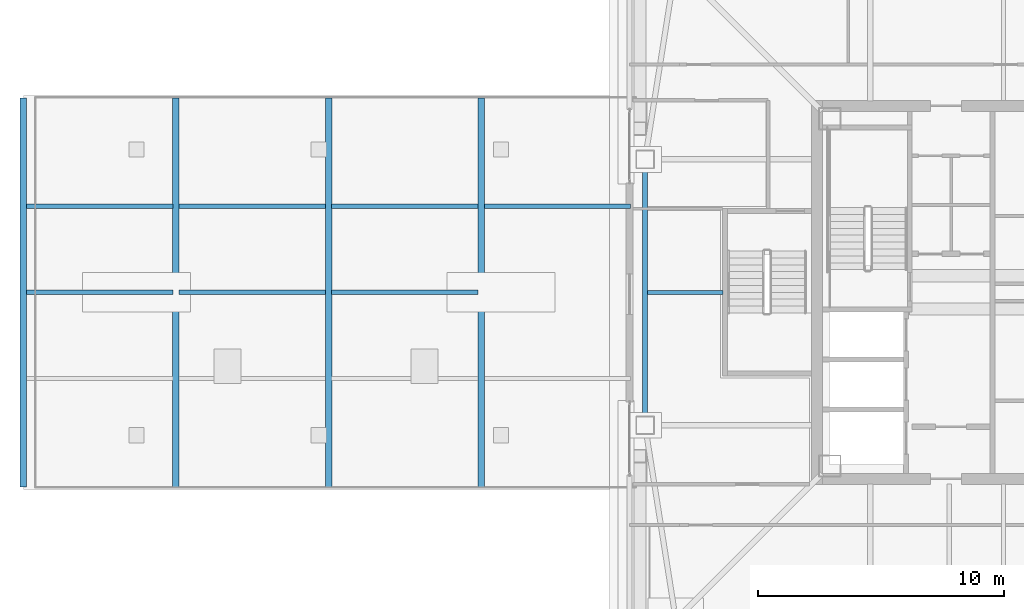
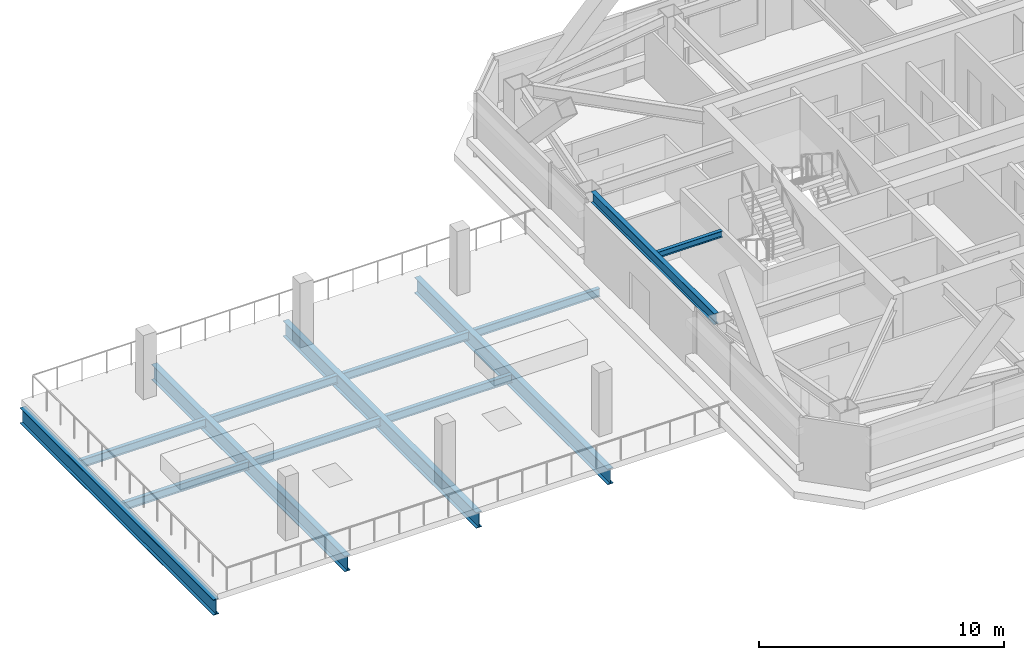
# One storey, part 5 of 37: 13 beams.
"""IFC4 building model written with IfcOpenShell, lengths in metres."""

from ifc_helpers import new_model, si_unit, direction, frame, origin, origin_2d, place, context, subcontext, project, spatial, i_section, extrude, material, material_profile, profile_set, type_object, element, save


model = new_model("IFC4")

# Units and contexts
model_context = context("Model", 3, precision=1e-05, world=origin(), true_north=direction((0.0, 1.0)))
body_context = subcontext(model_context, "Body", "Model", "MODEL_VIEW")
ifc_project = project(units=[si_unit("LENGTHUNIT", "METRE"), si_unit("AREAUNIT", "SQUARE_METRE"), si_unit("VOLUMEUNIT", "CUBIC_METRE"), si_unit("PLANEANGLEUNIT", "RADIAN"), si_unit("MASSUNIT", "GRAM", prefix="KILO")], contexts=[model_context])

# Site, building, storey
site_placement = place(None, origin())
site = spatial("IfcSite", under=ifc_project, at=site_placement, CompositionType="ELEMENT")
building_placement = place(site_placement, origin())
building = spatial("IfcBuilding", under=site, at=building_placement, Name="Tashvorn Skyway Center", CompositionType="ELEMENT")
storey_placement = place(building_placement, frame((0.0, 0.0, 263.39990234375)))
storey = spatial("IfcBuildingStorey", under=building, at=storey_placement, Name="L71", CompositionType="ELEMENT", Elevation=263.39990234375)

# Beams
ifc_material = material(Name="Steel ASTM A992 Grade 50", Category="steel")
ifc_material_profile_1 = material_profile(ifc_material, i_section(OverallWidth=0.26708984375, OverallDepth=0.779052734375, WebThickness=0.0166015625, FlangeThickness=0.030029296875, at=origin_2d()), Name="W30X148")
ifc_profile_set_1 = profile_set([ifc_material_profile_1], Name="Steel ASTM A992 Grade 50")
beam_type_1 = type_object("IfcBeamType", Name="BM-BEAM-W30X148", PredefinedType="BEAM", material=ifc_profile_set_1)
for number, where, z_axis, x_axis, name in (
    (1, (2.199951171875, 24.10009765625, -0.689453125), (0.0, 1.0, 0.0), (-1.0, 0.0, 0.0), "Sky-Park L71 Transverse Floor Beam 01"),
    (2, (8.39990234375, 24.10009765625, -0.689453125), (0.0, 1.0, 0.0), (-1.0, 0.0, 0.0), "Sky-Park L71 Transverse Floor Beam 02"),
    (3, (14.60009765625, 24.10009765625, -0.689453125), (0.0, 1.0, 0.0), (-1.0, 0.0, 0.0), "Sky-Park L71 Transverse Floor Beam 03"),
    (4, (20.800048828125, 24.10009765625, -0.689453125), (0.0, 1.0, 0.0), (-1.0, 0.0, 0.0), "Sky-Park L71 Transverse Floor Beam 04"),
):
    element("IfcBeam", number, at=place(storey_placement, frame(where, z_axis=z_axis, x_axis=x_axis)), inside=storey, type_object=beam_type_1, Name=name, PredefinedType="BEAM", context=body_context, shape_type="SweptSolid", body=[
        extrude(i_section(OverallWidth=0.26708984375, OverallDepth=0.779052734375, WebThickness=0.0166015625, FlangeThickness=0.030029296875, at=origin_2d()), origin(), (0.0, 0.0, 1.0), 15.7998046875),
    ])
ifc_material_profile_2 = material_profile(ifc_material, i_section(OverallWidth=0.1650390625, OverallDepth=0.31005859375, WebThickness=0.005859375, FlangeThickness=0.009765625, at=origin_2d()), Name="W12X26")
ifc_profile_set_2 = profile_set([ifc_material_profile_2], Name="Steel ASTM A992 Grade 50")
beam_type_2 = type_object("IfcBeamType", Name="BM-JOIST-W12X26", PredefinedType="JOIST", material=ifc_profile_set_2)
beam_1_placement = place(storey_placement, frame((30.610107421875, 32.0, 3.215087890625), z_axis=(-1.0, 0.0, 0.0), x_axis=(0.0, -1.0, 0.0)))
element("IfcBeam", 5, at=beam_1_placement, inside=storey, type_object=beam_type_2, Name="Tower 1 L71 Secondary Composite Joist JW", PredefinedType="JOIST", context=body_context, shape_type="SweptSolid", body=[
    extrude(i_section(OverallWidth=0.1650390625, OverallDepth=0.31005859375, WebThickness=0.005859375, FlangeThickness=0.009765625, at=origin_2d()), origin(), (0.0, 0.0, 1.0), 3.0625),
])
ifc_material_profile_3 = material_profile(ifc_material, i_section(OverallWidth=0.177978515625, OverallDepth=0.406005859375, WebThickness=0.0078125, FlangeThickness=0.0126953125, at=origin_2d()), Name="W16X40")
ifc_profile_set_3 = profile_set([ifc_material_profile_3], Name="Steel ASTM A992 Grade 50")
beam_type_3 = type_object("IfcBeamType", Name="BM-JOIST-W16X40", PredefinedType="JOIST", material=ifc_profile_set_3)
for number, where, z_axis, x_axis, name in (
    (6, (2.325439453125, 32.0, -0.5029296875), (1.0, 0.0, 0.0), (0.0, 1.0, 0.0), "Sky-Park L71 Longitudinal Joist 01-2"),
    (7, (2.325439453125, 35.5, -0.5029296875), (1.0, 0.0, 0.0), (0.0, 1.0, 0.0), "Sky-Park L71 Longitudinal Joist 01-3"),
):
    element("IfcBeam", number, at=place(storey_placement, frame(where, z_axis=z_axis, x_axis=x_axis)), inside=storey, type_object=beam_type_3, Name=name, PredefinedType="JOIST", context=body_context, shape_type="SweptSolid", body=[
        extrude(i_section(OverallWidth=0.177978515625, OverallDepth=0.406005859375, WebThickness=0.0078125, FlangeThickness=0.0126953125, at=origin_2d()), origin(), (0.0, 0.0, 1.0), 5.948974609375),
    ])
for number, where, z_axis, x_axis, name in (
    (8, (8.525390625, 32.0, -0.5029296875), (1.0, 0.0, 0.0), (0.0, 1.0, 0.0), "Sky-Park L71 Longitudinal Joist 02-2"),
    (9, (8.525390625, 35.5, -0.5029296875), (1.0, 0.0, 0.0), (0.0, 1.0, 0.0), "Sky-Park L71 Longitudinal Joist 02-3"),
):
    element("IfcBeam", number, at=place(storey_placement, frame(where, z_axis=z_axis, x_axis=x_axis)), inside=storey, type_object=beam_type_3, Name=name, PredefinedType="JOIST", context=body_context, shape_type="SweptSolid", body=[
        extrude(i_section(OverallWidth=0.177978515625, OverallDepth=0.406005859375, WebThickness=0.0078125, FlangeThickness=0.0126953125, at=origin_2d()), origin(), (0.0, 0.0, 1.0), 5.94921875),
    ])
for number, where, z_axis, x_axis, name in (
    (10, (14.7255859375, 32.0, -0.5029296875), (1.0, 0.0, 0.0), (0.0, 1.0, 0.0), "Sky-Park L71 Longitudinal Joist 03-2"),
    (11, (14.7255859375, 35.5, -0.5029296875), (1.0, 0.0, 0.0), (0.0, 1.0, 0.0), "Sky-Park L71 Longitudinal Joist 03-3"),
):
    element("IfcBeam", number, at=place(storey_placement, frame(where, z_axis=z_axis, x_axis=x_axis)), inside=storey, type_object=beam_type_3, Name=name, PredefinedType="JOIST", context=body_context, shape_type="SweptSolid", body=[
        extrude(i_section(OverallWidth=0.177978515625, OverallDepth=0.406005859375, WebThickness=0.0078125, FlangeThickness=0.0126953125, at=origin_2d()), origin(), (0.0, 0.0, 1.0), 5.948974609375),
    ])
beam_2_placement = place(storey_placement, frame((20.925537109375, 35.5, -0.5029296875), z_axis=(1.0, 0.0, 0.0), x_axis=(0.0, 1.0, 0.0)))
element("IfcBeam", 12, at=beam_2_placement, inside=storey, type_object=beam_type_3, Name="Sky-Park L71 Longitudinal Joist 04-3", PredefinedType="JOIST", context=body_context, shape_type="SweptSolid", body=[
    extrude(i_section(OverallWidth=0.177978515625, OverallDepth=0.406005859375, WebThickness=0.0078125, FlangeThickness=0.0126953125, at=origin_2d()), origin(), (0.0, 0.0, 1.0), 5.925048828125),
])
ifc_material_profile_4 = material_profile(ifc_material, i_section(OverallWidth=0.2109375, OverallDepth=0.5390625, WebThickness=0.01171875, FlangeThickness=0.018798828125, at=origin_2d()), Name="W21X73")
ifc_profile_set_4 = profile_set([ifc_material_profile_4], Name="Steel ASTM A992 Grade 50")
beam_type_4 = type_object("IfcBeamType", Name="BM-SPANDREL-W21X73", PredefinedType="SPANDREL", material=ifc_profile_set_4)
beam_3_placement = place(storey_placement, frame((27.449951171875, 37.030029296875, 3.1005859375), z_axis=(0.0, -1.0, 0.0), x_axis=(1.0, 0.0, 0.0)))
element("IfcBeam", 13, at=beam_3_placement, inside=storey, type_object=beam_type_4, Name="Tower 1 L71 Spandrel Beam 11", PredefinedType="SPANDREL", context=body_context, shape_type="SweptSolid", body=[
    extrude(i_section(OverallWidth=0.2109375, OverallDepth=0.5390625, WebThickness=0.01171875, FlangeThickness=0.018798828125, at=origin_2d()), origin(), (0.0, 0.0, 1.0), 10.06005859375),
])

save(model, "model.ifc")
